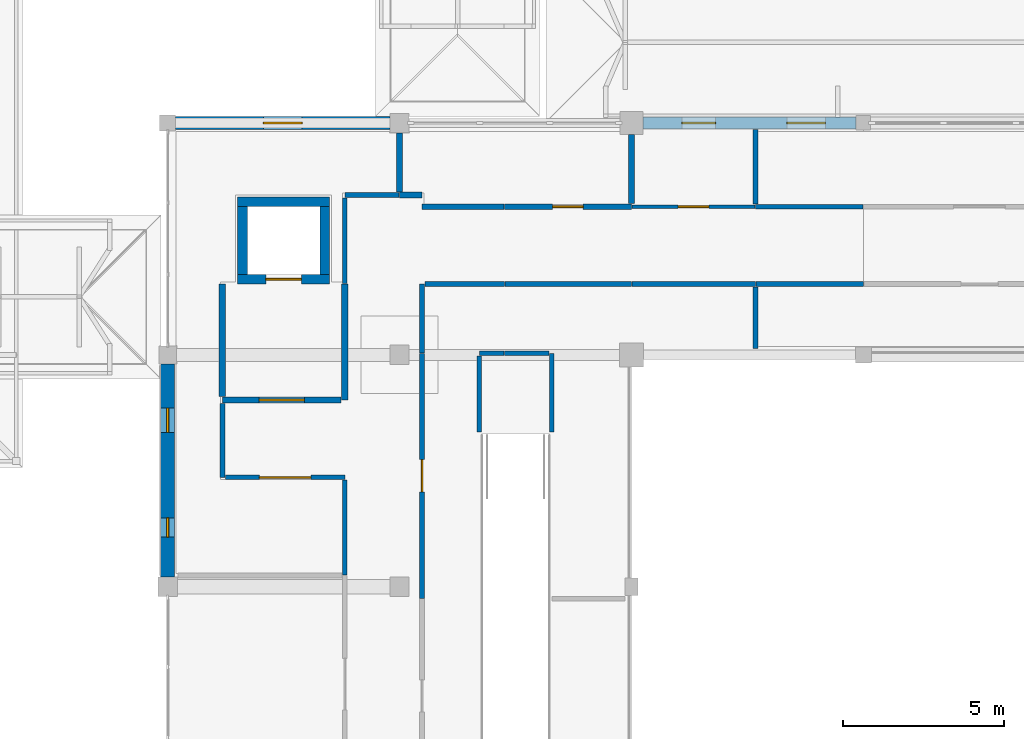
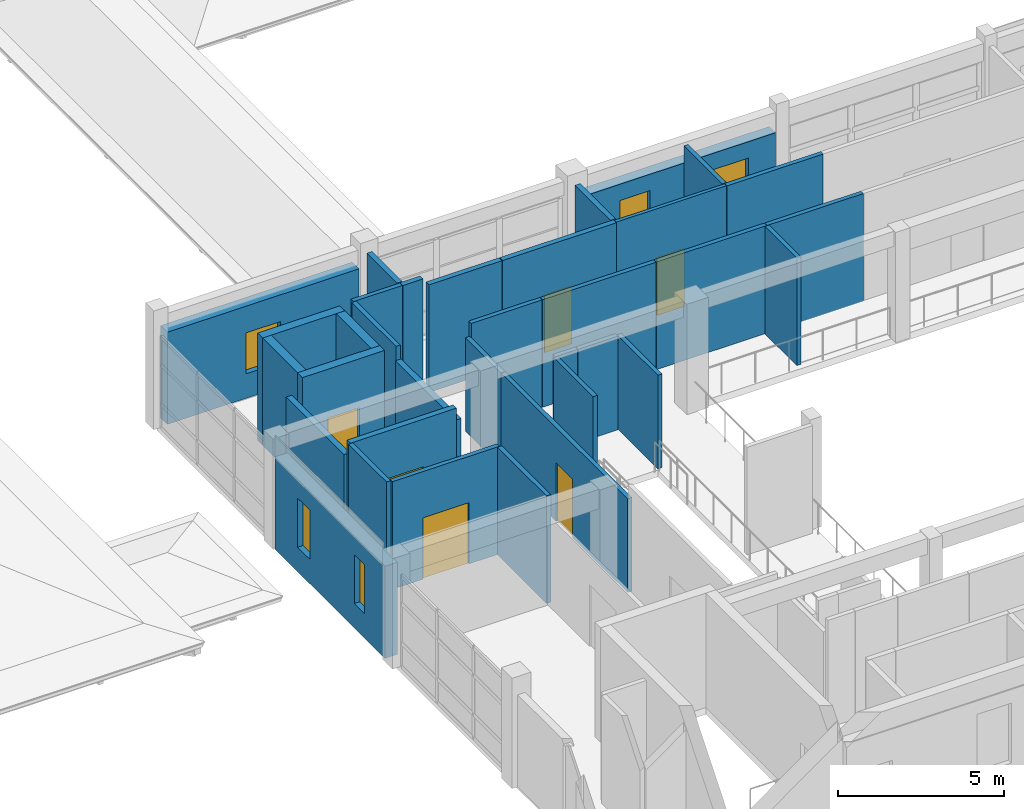
# One storey, part 74 of 110: 34 walls, 6 doors, 5 windows, 11 openings.
"""IFC4 building model written with IfcOpenShell, lengths in metres."""

from ifc_helpers import new_model, si_unit, direction, frame, frame_2d, origin, place, context, subcontext, project, spatial, rectangle, extrude, material, layer, layer_set, type_object, element, fill, save


model = new_model("IFC4")

# Units and contexts
model_context = context("Model", 3, precision=1e-05, world=origin(), true_north=direction((0.0, 1.0)))
body_context = subcontext(model_context, "Body", "Model", "MODEL_VIEW")
ifc_project = project(units=[si_unit("LENGTHUNIT", "METRE"), si_unit("AREAUNIT", "SQUARE_METRE"), si_unit("VOLUMEUNIT", "CUBIC_METRE"), si_unit("PLANEANGLEUNIT", "RADIAN"), si_unit("MASSUNIT", "GRAM", prefix="KILO")], contexts=[model_context])

# Site, building, storey
site_placement = place(None, origin())
site = spatial("IfcSite", under=ifc_project, at=site_placement, CompositionType="ELEMENT")
building_placement = place(site_placement, origin())
building = spatial("IfcBuilding", under=site, at=building_placement, Name="Steenspoor Specialist Clinic", CompositionType="ELEMENT")
storey_placement = place(building_placement, frame((0.0, 0.0, 4.800048828125)))
storey = spatial("IfcBuildingStorey", under=building, at=storey_placement, Name="L01", CompositionType="ELEMENT", Elevation=4.800048828125)

# Wall, openings, windows
ifc_material_1 = material(Name="Extruded clay brick masonry", Category="masonry")
ifc_layer_1 = layer(ifc_material_1, 0.3798828125)
ifc_layer_set_1 = layer_set([ifc_layer_1], Name="Extruded clay brick masonry")
wall_type_1 = type_object("IfcWallType", Name="W-BRICK-380", PredefinedType="USERDEFINED", material=ifc_layer_set_1)
wall_1_placement = place(storey_placement, frame((59.949951171875, 41.85009765625, 0.0), z_axis=(0.0, 0.0, 1.0), x_axis=(1.0, 0.0, 0.0)))
wall_1 = element("IfcWall", 1, at=wall_1_placement, inside=storey, type_object=wall_type_1, Name="Exterior Brick Wall EW-V1-L01-0029", ObjectType="CAVITY VENEER", PredefinedType="USERDEFINED", context=body_context, shape_type="SweptSolid", body=[
    extrude(rectangle(XDim=6.625, YDim=0.3798828125, at=frame_2d((3.3125, 0.0))), origin(), (0.0, 0.0, 1.0), 3.300048828125),
])
opening_1_placement = place(wall_1_placement, frame((1.215087890625, 0.0, 0.89990234375)))
opening_1 = element("IfcOpeningElement", 2, at=opening_1_placement, cuts=wall_1, Name="Opening WN-04", PredefinedType="OPENING", context=body_context, shape_type="SweptSolid", body=[
    extrude(rectangle(XDim=1.050048828125, YDim=1.800048828125, at=frame_2d((0.52490234375, 0.89990234375))), frame((0.0, 0.199951171875, 0.0), z_axis=(0.0, -1.0, 0.0), x_axis=(1.0, 0.0, 0.0)), (0.0, 0.0, 1.0), 0.39990234375),
])
opening_2_placement = place(wall_1_placement, frame((4.472412109375, 0.0, 0.89990234375)))
opening_2 = element("IfcOpeningElement", 3, at=opening_2_placement, cuts=wall_1, Name="Opening WN-05", PredefinedType="OPENING", context=body_context, shape_type="SweptSolid", body=[
    extrude(rectangle(XDim=1.199951171875, YDim=1.800048828125, at=frame_2d((0.60009765625, 0.89990234375))), frame((0.0, 0.199951171875, 0.0), z_axis=(0.0, -1.0, 0.0), x_axis=(1.0, 0.0, 0.0)), (0.0, 0.0, 1.0), 0.39990234375),
])
ifc_material_2 = material(Name="Thermally broken aluminium and low-emissivity glass", Category="aluminium")
window_type_1 = type_object("IfcWindowType", Name="WN-EXT-105X180", PartitioningType="SINGLE_PANEL", PredefinedType="WINDOW", material=ifc_material_2)
window_1_placement = place(opening_1_placement, origin())
window_1 = element("IfcWindow", 4, at=window_1_placement, inside=storey, type_object=window_type_1, Name="Window 0035", OverallHeight=1.800048828125, OverallWidth=1.050048828125, PartitioningType="SINGLE_PANEL", PredefinedType="WINDOW", context=body_context, shape_type="SweptSolid", body=[
    extrude(rectangle(XDim=1.050048828125, YDim=1.800048828125, at=frame_2d((0.52490234375, 0.89990234375))), frame((0.0, 0.030029296875, 0.0), z_axis=(0.0, -1.0, 0.0), x_axis=(1.0, 0.0, 0.0)), (0.0, 0.0, 1.0), 0.06005859375),
])
fill(opening_1, window_1)
window_type_2 = type_object("IfcWindowType", Name="WN-EXT-120X180", PartitioningType="SINGLE_PANEL", PredefinedType="WINDOW", material=ifc_material_2)
window_2_placement = place(opening_2_placement, origin())
window_2 = element("IfcWindow", 5, at=window_2_placement, inside=storey, type_object=window_type_2, Name="Window 0036", OverallHeight=1.800048828125, OverallWidth=1.199951171875, PartitioningType="SINGLE_PANEL", PredefinedType="WINDOW", context=body_context, shape_type="SweptSolid", body=[
    extrude(rectangle(XDim=1.199951171875, YDim=1.800048828125, at=frame_2d((0.60009765625, 0.89990234375))), frame((0.0, 0.030029296875, 0.0), z_axis=(0.0, -1.0, 0.0), x_axis=(1.0, 0.0, 0.0)), (0.0, 0.0, 1.0), 0.06005859375),
])
fill(opening_2, window_2)

# Wall, opening, window
ifc_layer_2 = layer(ifc_material_1, 0.409912109375)
ifc_layer_set_2 = layer_set([ifc_layer_2], Name="Extruded clay brick masonry")
wall_type_2 = type_object("IfcWallType", Name="W-BRICK-410", PredefinedType="USERDEFINED", material=ifc_layer_set_2)
wall_2_placement = place(storey_placement, frame((45.449951171875, 41.85009765625, 0.0), z_axis=(0.0, 0.0, 1.0), x_axis=(1.0, 0.0, 0.0)))
wall_2 = element("IfcWall", 6, at=wall_2_placement, inside=storey, type_object=wall_type_2, Name="Exterior Brick Wall EW-V1-L01-0028", ObjectType="CAVITY VENEER", PredefinedType="USERDEFINED", context=body_context, shape_type="SweptSolid", body=[
    extrude(rectangle(XDim=6.650146484375, YDim=0.409912109375, at=frame_2d((3.3251953125, 0.0))), origin(), (0.0, 0.0, 1.0), 3.3798828125),
])
opening_3_placement = place(wall_2_placement, frame((2.72509765625, 0.0, 0.89990234375)))
opening_3 = element("IfcOpeningElement", 7, at=opening_3_placement, cuts=wall_2, Name="Opening WN-11", PredefinedType="OPENING", context=body_context, shape_type="SweptSolid", body=[
    extrude(rectangle(XDim=1.199951171875, YDim=1.5, at=frame_2d((0.60009765625, 0.75))), frame((0.0, 0.21484375, 0.0), z_axis=(0.0, -1.0, 0.0), x_axis=(1.0, 0.0, 0.0)), (0.0, 0.0, 1.0), 0.429931640625),
])
window_type_3 = type_object("IfcWindowType", Name="WN-EXT-120X150", PartitioningType="SINGLE_PANEL", PredefinedType="WINDOW", material=ifc_material_2)
window_3_placement = place(opening_3_placement, origin())
window_3 = element("IfcWindow", 8, at=window_3_placement, inside=storey, type_object=window_type_3, Name="Window 0034", OverallHeight=1.5, OverallWidth=1.199951171875, PartitioningType="SINGLE_PANEL", PredefinedType="WINDOW", context=body_context, shape_type="SweptSolid", body=[
    extrude(rectangle(XDim=1.199951171875, YDim=1.5, at=frame_2d((0.60009765625, 0.75))), frame((0.0, 0.030029296875, 0.0), z_axis=(0.0, -1.0, 0.0), x_axis=(1.0, 0.0, 0.0)), (0.0, 0.0, 1.0), 0.06005859375),
])
fill(opening_3, window_3)

# Wall, openings, windows
ifc_layer_3 = layer(ifc_material_1, 0.43994140625)
ifc_layer_set_3 = layer_set([ifc_layer_3], Name="Extruded clay brick masonry")
wall_type_3 = type_object("IfcWallType", Name="W-BRICK-440", PredefinedType="USERDEFINED", material=ifc_layer_set_3)
wall_3_placement = place(storey_placement, frame((45.199951171875, 27.75, 0.0), z_axis=(0.0, 0.0, 1.0), x_axis=(0.0, 1.0, 0.0)))
wall_3 = element("IfcWall", 9, at=wall_3_placement, inside=storey, type_object=wall_type_3, Name="Exterior Brick Wall EW-V1-L01-0027", ObjectType="CAVITY VENEER", PredefinedType="USERDEFINED", context=body_context, shape_type="SweptSolid", body=[
    extrude(rectangle(XDim=6.625, YDim=0.43994140625, at=frame_2d((3.3125, 0.0))), origin(), (0.0, 0.0, 1.0), 3.3798828125),
])
opening_4_placement = place(wall_3_placement, frame((1.239990234375, 0.0, 0.89990234375)))
opening_4 = element("IfcOpeningElement", 10, at=opening_4_placement, cuts=wall_3, Name="Opening WN-01", PredefinedType="OPENING", context=body_context, shape_type="SweptSolid", body=[
    extrude(rectangle(XDim=0.60009765625, YDim=1.800048828125, at=frame_2d((0.300048828125, 0.89990234375))), frame((0.0, 0.22998046875, 0.0), z_axis=(0.0, -1.0, 0.0), x_axis=(1.0, 0.0, 0.0)), (0.0, 0.0, 1.0), 0.4599609375),
])
opening_5_placement = place(wall_3_placement, frame((4.49755859375, 0.0, 0.89990234375)))
opening_5 = element("IfcOpeningElement", 11, at=opening_5_placement, cuts=wall_3, Name="Opening WN-02", PredefinedType="OPENING", context=body_context, shape_type="SweptSolid", body=[
    extrude(rectangle(XDim=0.75, YDim=1.800048828125, at=frame_2d((0.375, 0.89990234375))), frame((0.0, 0.22998046875, 0.0), z_axis=(0.0, -1.0, 0.0), x_axis=(1.0, 0.0, 0.0)), (0.0, 0.0, 1.0), 0.4599609375),
])
window_type_4 = type_object("IfcWindowType", Name="WN-EXT-060X180", PartitioningType="SINGLE_PANEL", PredefinedType="WINDOW", material=ifc_material_2)
window_4_placement = place(opening_4_placement, origin())
window_4 = element("IfcWindow", 12, at=window_4_placement, inside=storey, type_object=window_type_4, Name="Window 0032", OverallHeight=1.800048828125, OverallWidth=0.60009765625, PartitioningType="SINGLE_PANEL", PredefinedType="WINDOW", context=body_context, shape_type="SweptSolid", body=[
    extrude(rectangle(XDim=0.60009765625, YDim=1.800048828125, at=frame_2d((0.300048828125, 0.89990234375))), frame((0.0, 0.030029296875, 0.0), z_axis=(0.0, -1.0, 0.0), x_axis=(1.0, 0.0, 0.0)), (0.0, 0.0, 1.0), 0.06005859375),
])
fill(opening_4, window_4)
window_type_5 = type_object("IfcWindowType", Name="WN-EXT-075X180", PartitioningType="SINGLE_PANEL", PredefinedType="WINDOW", material=ifc_material_2)
window_5_placement = place(opening_5_placement, origin())
window_5 = element("IfcWindow", 13, at=window_5_placement, inside=storey, type_object=window_type_5, Name="Window 0033", OverallHeight=1.800048828125, OverallWidth=0.75, PartitioningType="SINGLE_PANEL", PredefinedType="WINDOW", context=body_context, shape_type="SweptSolid", body=[
    extrude(rectangle(XDim=0.75, YDim=1.800048828125, at=frame_2d((0.375, 0.89990234375))), frame((0.0, 0.030029296875, 0.0), z_axis=(0.0, -1.0, 0.0), x_axis=(1.0, 0.0, 0.0)), (0.0, 0.0, 1.0), 0.06005859375),
])
fill(opening_5, window_5)

# Wall, opening, door
ifc_material_3 = material(Name="Gypsum acoustic clinical partition", Category="gypsum")
ifc_layer_4 = layer(ifc_material_3, 0.14990234375)
ifc_layer_set_4 = layer_set([ifc_layer_4], Name="Gypsum acoustic clinical partition")
wall_type_4 = type_object("IfcWallType", Name="W-CLIN-150", PredefinedType="PARTITIONING", material=ifc_layer_set_4)
wall_4_placement = place(storey_placement, frame((53.10009765625, 27.094970703125, 0.0), z_axis=(0.0, 0.0, 1.0), x_axis=(0.0, 1.0, 0.0)))
wall_4 = element("IfcWall", 14, at=wall_4_placement, inside=storey, type_object=wall_type_4, Name="Interior Partition IW-V1-L01-0843", PredefinedType="PARTITIONING", context=body_context, shape_type="SweptSolid", body=[
    extrude(rectangle(XDim=7.60498046875, YDim=0.14990234375, at=frame_2d((3.802490234375, 0.0))), origin(), (0.0, 0.0, 1.0), 3.43994140625),
])
opening_6_placement = place(wall_4_placement, frame((3.302490234375, 0.0, 0.0)))
opening_6 = element("IfcOpeningElement", 15, at=opening_6_placement, cuts=wall_4, Name="Opening D0065", PredefinedType="OPENING", context=body_context, shape_type="SweptSolid", body=[
    extrude(rectangle(XDim=1.0, YDim=2.14990234375, at=frame_2d((0.5, 1.074951171875))), frame((0.0, 0.0849609375, 0.0), z_axis=(0.0, -1.0, 0.0), x_axis=(1.0, 0.0, 0.0)), (0.0, 0.0, 1.0), 0.169921875),
])
ifc_material_4 = material(Name="Moisture-resistant HPL accessible WC door", Category="wood")
door_type_1 = type_object("IfcDoorType", Name="DT-AWC-100X215", OperationType="NOTDEFINED", PredefinedType="DOOR", material=ifc_material_4)
door_1_placement = place(opening_6_placement, origin())
door_1 = element("IfcDoor", 16, at=door_1_placement, inside=storey, type_object=door_type_1, Name="Clinical Door D0065", OperationType="SINGLE_SWING_RIGHT", OverallHeight=2.14990234375, OverallWidth=1.0, PredefinedType="DOOR", context=body_context, shape_type="SweptSolid", body=[
    extrude(rectangle(XDim=1.0, YDim=2.14990234375, at=frame_2d((0.5, 1.074951171875))), frame((0.0, 0.02490234375, 0.0), z_axis=(0.0, -1.0, 0.0), x_axis=(1.0, 0.0, 0.0)), (0.0, 0.0, 1.0), 0.050048828125),
])
fill(opening_6, door_1)

# Walls
wall_5_placement = place(storey_placement, frame((53.10009765625, 34.715087890625, 0.0), z_axis=(0.0, 0.0, 1.0), x_axis=(0.0, 1.0, 0.0)))
element("IfcWall", 17, at=wall_5_placement, inside=storey, type_object=wall_type_4, Name="Interior Partition IW-V1-L01-0844", PredefinedType="PARTITIONING", context=body_context, shape_type="SweptSolid", body=[
    extrude(rectangle(XDim=2.135009765625, YDim=0.14990234375, at=frame_2d((1.0673828125, 0.0))), origin(), (0.0, 0.0, 1.0), 3.43994140625),
])
wall_6_placement = place(storey_placement, frame((53.18994140625, 36.85009765625, 0.0), z_axis=(0.0, 0.0, 1.0), x_axis=(1.0, 0.0, 0.0)))
element("IfcWall", 18, at=wall_6_placement, inside=storey, type_object=wall_type_4, Name="Interior Partition IW-V1-L01-0845", PredefinedType="PARTITIONING", context=body_context, shape_type="SweptSolid", body=[
    extrude(rectangle(XDim=2.4599609375, YDim=0.14990234375, at=frame_2d((1.22998046875, 0.0))), origin(), (0.0, 0.0, 1.0), 3.949951171875),
])
wall_7_placement = place(storey_placement, frame((55.6650390625, 36.85009765625, 0.0), z_axis=(0.0, 0.0, 1.0), x_axis=(1.0, 0.0, 0.0)))
element("IfcWall", 19, at=wall_7_placement, inside=storey, type_object=wall_type_4, Name="Interior Partition IW-V1-L01-0846", PredefinedType="PARTITIONING", context=body_context, shape_type="SweptSolid", body=[
    extrude(rectangle(XDim=3.93505859375, YDim=0.14990234375, at=frame_2d((1.967529296875, 0.0))), origin(), (0.0, 0.0, 1.0), 3.949951171875),
])
wall_8_placement = place(storey_placement, frame((59.614990234375, 36.85009765625, 0.0), z_axis=(0.0, 0.0, 1.0), x_axis=(1.0, 0.0, 0.0)))
element("IfcWall", 20, at=wall_8_placement, inside=storey, type_object=wall_type_4, Name="Interior Partition IW-V1-L01-0847", PredefinedType="PARTITIONING", context=body_context, shape_type="SweptSolid", body=[
    extrude(rectangle(XDim=3.8349609375, YDim=0.14990234375, at=frame_2d((1.91748046875, 0.0))), origin(), (0.0, 0.0, 1.0), 3.949951171875),
])
wall_9_placement = place(storey_placement, frame((50.699951171875, 39.610107421875, 0.0), z_axis=(0.0, 0.0, 1.0), x_axis=(1.0, 0.0, 0.0)))
element("IfcWall", 21, at=wall_9_placement, inside=storey, type_object=wall_type_4, Name="Interior Partition IW-V1-L01-0848", PredefinedType="PARTITIONING", context=body_context, shape_type="SweptSolid", body=[
    extrude(rectangle(XDim=1.68505859375, YDim=0.14990234375, at=frame_2d((0.842529296875, 0.0))), origin(), (0.0, 0.0, 1.0), 3.949951171875),
])
wall_10_placement = place(storey_placement, frame((50.699951171875, 36.864990234375, 0.0), z_axis=(0.0, 0.0, 1.0), x_axis=(0.0, 1.0, 0.0)))
element("IfcWall", 22, at=wall_10_placement, inside=storey, type_object=wall_type_4, Name="Interior Partition IW-V1-L01-0849", PredefinedType="PARTITIONING", context=body_context, shape_type="SweptSolid", body=[
    extrude(rectangle(XDim=2.655029296875, YDim=0.14990234375, at=frame_2d((1.32763671875, 0.0))), origin(), (0.0, 0.0, 1.0), 3.949951171875),
])
wall_11_placement = place(storey_placement, frame((46.89990234375, 30.85009765625, 0.0), z_axis=(0.0, 0.0, 1.0), x_axis=(0.0, 1.0, 0.0)))
element("IfcWall", 23, at=wall_11_placement, inside=storey, type_object=wall_type_4, Name="Interior Partition IW-V1-L01-0850", PredefinedType="PARTITIONING", context=body_context, shape_type="SweptSolid", body=[
    extrude(rectangle(XDim=2.284912109375, YDim=0.14990234375, at=frame_2d((1.142578125, 0.0))), origin(), (0.0, 0.0, 1.0), 3.949951171875),
])

# Wall, opening, door
wall_12_placement = place(storey_placement, frame((46.989990234375, 30.85009765625, 0.0), z_axis=(0.0, 0.0, 1.0), x_axis=(1.0, 0.0, 0.0)))
wall_12 = element("IfcWall", 24, at=wall_12_placement, inside=storey, type_object=wall_type_4, Name="Interior Partition IW-V1-L01-0851", PredefinedType="PARTITIONING", context=body_context, shape_type="SweptSolid", body=[
    extrude(rectangle(XDim=3.7099609375, YDim=0.14990234375, at=frame_2d((1.85498046875, 0.0))), origin(), (0.0, 0.0, 1.0), 3.949951171875),
])
opening_7_placement = place(wall_12_placement, frame((1.054931640625, 0.0, 0.0)))
opening_7 = element("IfcOpeningElement", 25, at=opening_7_placement, cuts=wall_12, Name="Opening D0067", PredefinedType="OPENING", context=body_context, shape_type="SweptSolid", body=[
    extrude(rectangle(XDim=1.60009765625, YDim=2.25, at=frame_2d((0.800048828125, 1.125))), frame((0.0, 0.0849609375, 0.0), z_axis=(0.0, -1.0, 0.0), x_axis=(1.0, 0.0, 0.0)), (0.0, 0.0, 1.0), 0.169921875),
])
ifc_material_5 = material(Name="Hygienic HPL clinical timber door", Category="wood")
door_type_2 = type_object("IfcDoorType", Name="DT-PROC-160X225", OperationType="NOTDEFINED", PredefinedType="DOOR", material=ifc_material_5)
door_2_placement = place(opening_7_placement, origin())
door_2 = element("IfcDoor", 26, at=door_2_placement, inside=storey, type_object=door_type_2, Name="Clinical Door D0067", OperationType="SINGLE_SWING_RIGHT", OverallHeight=2.25, OverallWidth=1.60009765625, PredefinedType="DOOR", context=body_context, shape_type="SweptSolid", body=[
    extrude(rectangle(XDim=1.60009765625, YDim=2.25, at=frame_2d((0.800048828125, 1.125))), frame((0.0, 0.02490234375, 0.0), z_axis=(0.0, -1.0, 0.0), x_axis=(1.0, 0.0, 0.0)), (0.0, 0.0, 1.0), 0.050048828125),
])
fill(opening_7, door_2)

# Walls
wall_13_placement = place(storey_placement, frame((50.699951171875, 27.81494140625, 0.0), z_axis=(0.0, 0.0, 1.0), x_axis=(0.0, 1.0, 0.0)))
element("IfcWall", 27, at=wall_13_placement, inside=storey, type_object=wall_type_4, Name="Interior Partition IW-V1-L01-0852", PredefinedType="PARTITIONING", context=body_context, shape_type="SweptSolid", body=[
    extrude(rectangle(XDim=2.945068359375, YDim=0.14990234375, at=frame_2d((1.47265625, 0.0))), origin(), (0.0, 0.0, 1.0), 3.949951171875),
])
for number, where, z_axis, x_axis, name in (
    (28, (63.465087890625, 36.85009765625, 0.0), (0.0, 0.0, 1.0), (1.0, 0.0, 0.0), "Interior Partition IW-V1-L01-0856"),
    (29, (63.449951171875, 39.25, 0.0), (0.0, 0.0, 1.0), (1.0, 0.0, 0.0), "Interior Partition IW-V1-L01-0860"),
):
    element("IfcWall", number, at=place(storey_placement, frame(where, z_axis=z_axis, x_axis=x_axis)), inside=storey, type_object=wall_type_4, Name=name, PredefinedType="PARTITIONING", context=body_context, shape_type="SweptSolid", body=[
        extrude(rectangle(XDim=3.3349609375, YDim=0.14990234375, at=frame_2d((1.66748046875, 0.0))), origin(), (0.0, 0.0, 1.0), 3.949951171875),
    ])
wall_14_placement = place(storey_placement, frame((63.449951171875, 34.85009765625, 0.0), z_axis=(0.0, 0.0, 1.0), x_axis=(0.0, 1.0, 0.0)))
element("IfcWall", 30, at=wall_14_placement, inside=storey, type_object=wall_type_4, Name="Interior Partition IW-V1-L01-1159", PredefinedType="PARTITIONING", context=body_context, shape_type="SweptSolid", body=[
    extrude(rectangle(XDim=1.909912109375, YDim=0.14990234375, at=frame_2d((0.955078125, 0.0))), origin(), (0.0, 0.0, 1.0), 3.949951171875),
])
wall_15_placement = place(storey_placement, frame((57.125, 32.25, 0.0), z_axis=(0.0, 0.0, 1.0), x_axis=(0.0, 1.0, 0.0)))
element("IfcWall", 31, at=wall_15_placement, inside=storey, type_object=wall_type_4, Name="Interior Partition IW-V1-L01-1160", PredefinedType="PARTITIONING", context=body_context, shape_type="SweptSolid", body=[
    extrude(rectangle(XDim=2.449951171875, YDim=0.14990234375, at=frame_2d((1.22509765625, 0.0))), origin(), (0.0, 0.0, 1.0), 3.43994140625),
])
wall_16_placement = place(storey_placement, frame((55.64990234375, 34.699951171875, 0.0), z_axis=(0.0, 0.0, 1.0), x_axis=(1.0, 0.0, 0.0)))
element("IfcWall", 32, at=wall_16_placement, inside=storey, type_object=wall_type_4, Name="Interior Partition IW-V1-L01-1161", PredefinedType="PARTITIONING", context=body_context, shape_type="SweptSolid", body=[
    extrude(rectangle(XDim=1.385009765625, YDim=0.14990234375, at=frame_2d((0.6923828125, 0.0))), origin(), (0.0, 0.0, 1.0), 3.43994140625),
])
wall_17_placement = place(storey_placement, frame((54.875, 34.699951171875, 0.0), z_axis=(0.0, 0.0, 1.0), x_axis=(1.0, 0.0, 0.0)))
element("IfcWall", 33, at=wall_17_placement, inside=storey, type_object=wall_type_4, Name="Interior Partition IW-V1-L01-1162", PredefinedType="PARTITIONING", context=body_context, shape_type="SweptSolid", body=[
    extrude(rectangle(XDim=0.760009765625, YDim=0.14990234375, at=frame_2d((0.3798828125, 0.0))), origin(), (0.0, 0.0, 1.0), 3.43994140625),
])
wall_18_placement = place(storey_placement, frame((54.875, 32.25, 0.0), z_axis=(0.0, 0.0, 1.0), x_axis=(0.0, 1.0, 0.0)))
element("IfcWall", 34, at=wall_18_placement, inside=storey, type_object=wall_type_4, Name="Interior Partition IW-V1-L01-1163", PredefinedType="PARTITIONING", context=body_context, shape_type="SweptSolid", body=[
    extrude(rectangle(XDim=2.360107421875, YDim=0.14990234375, at=frame_2d((1.18017578125, 0.0))), origin(), (0.0, 0.0, 1.0), 3.43994140625),
])
wall_19_placement = place(storey_placement, frame((63.449951171875, 39.340087890625, 0.0), z_axis=(0.0, 0.0, 1.0), x_axis=(0.0, 1.0, 0.0)))
element("IfcWall", 35, at=wall_19_placement, inside=storey, type_object=wall_type_4, Name="Interior Partition IW-V1-L01-1164", PredefinedType="PARTITIONING", context=body_context, shape_type="SweptSolid", body=[
    extrude(rectangle(XDim=2.304931640625, YDim=0.14990234375, at=frame_2d((1.15234375, 0.0))), origin(), (0.0, 0.0, 1.0), 3.949951171875),
])

# Wall, opening, door
ifc_material_6 = material(Name="Gypsum studio partition board", Category="gypsum")
ifc_layer_5 = layer(ifc_material_6, 0.1201171875)
ifc_layer_set_5 = layer_set([ifc_layer_5], Name="Gypsum studio partition board")
wall_type_5 = type_object("IfcWallType", Name="W-PART-120", PredefinedType="PARTITIONING", material=ifc_layer_set_5)
wall_20_placement = place(storey_placement, frame((59.614990234375, 39.25, 0.0), z_axis=(0.0, 0.0, 1.0), x_axis=(1.0, 0.0, 0.0)))
wall_20 = element("IfcWall", 36, at=wall_20_placement, inside=storey, type_object=wall_type_5, Name="Interior Partition IW-V1-L01-0952", PredefinedType="PARTITIONING", context=body_context, shape_type="SweptSolid", body=[
    extrude(rectangle(XDim=3.820068359375, YDim=0.1201171875, at=frame_2d((1.91015625, 0.0))), origin(), (0.0, 0.0, 1.0), 3.949951171875),
])
opening_8_placement = place(wall_20_placement, frame((1.43505859375, 0.0, 0.0)))
opening_8 = element("IfcOpeningElement", 37, at=opening_8_placement, cuts=wall_20, Name="Opening D0072", PredefinedType="OPENING", context=body_context, shape_type="SweptSolid", body=[
    extrude(rectangle(XDim=0.949951171875, YDim=2.10009765625, at=frame_2d((0.47509765625, 1.050048828125))), frame((0.0, 0.070068359375, 0.0), z_axis=(0.0, -1.0, 0.0), x_axis=(1.0, 0.0, 0.0)), (0.0, 0.0, 1.0), 0.14013671875),
])
ifc_material_7 = material(Name="Moisture-resistant HPL sanitary door", Category="wood")
door_type_3 = type_object("IfcDoorType", Name="DT-WC-095X210", OperationType="NOTDEFINED", PredefinedType="DOOR", material=ifc_material_7)
door_3_placement = place(opening_8_placement, origin())
door_3 = element("IfcDoor", 38, at=door_3_placement, inside=storey, type_object=door_type_3, Name="Clinical Door D0072", OperationType="SINGLE_SWING_LEFT", OverallHeight=2.10009765625, OverallWidth=0.949951171875, PredefinedType="DOOR", context=body_context, shape_type="SweptSolid", body=[
    extrude(rectangle(XDim=0.949951171875, YDim=2.10009765625, at=frame_2d((0.47509765625, 1.050048828125))), frame((0.0, 0.02490234375, 0.0), z_axis=(0.0, -1.0, 0.0), x_axis=(1.0, 0.0, 0.0)), (0.0, 0.0, 1.0), 0.050048828125),
])
fill(opening_8, door_3)

ifc_material_8 = material(Name="Moisture-resistant gypsum plumbing wall", Category="gypsum")
ifc_layer_6 = layer(ifc_material_8, 0.179931640625)
ifc_layer_set_6 = layer_set([ifc_layer_6], Name="Moisture-resistant gypsum plumbing wall")
wall_type_6 = type_object("IfcWallType", Name="W-PLUMB-180", PredefinedType="PLUMBINGWALL", material=ifc_layer_set_6)
wall_21_placement = place(storey_placement, frame((55.64990234375, 39.25, 0.0), z_axis=(0.0, 0.0, 1.0), x_axis=(1.0, 0.0, 0.0)))
wall_21 = element("IfcWall", 39, at=wall_21_placement, inside=storey, type_object=wall_type_6, Name="Interior Partition IW-V1-L01-0744", PredefinedType="PLUMBINGWALL", context=body_context, shape_type="SweptSolid", body=[
    extrude(rectangle(XDim=3.9501953125, YDim=0.179931640625, at=frame_2d((1.97509765625, 0.0))), origin(), (0.0, 0.0, 1.0), 3.949951171875),
])
opening_9_placement = place(wall_21_placement, frame((1.5, 0.0, 0.0)))
opening_9 = element("IfcOpeningElement", 40, at=opening_9_placement, cuts=wall_21, Name="Opening D0071", PredefinedType="OPENING", context=body_context, shape_type="SweptSolid", body=[
    extrude(rectangle(XDim=0.949951171875, YDim=2.10009765625, at=frame_2d((0.47509765625, 1.050048828125))), frame((0.0, 0.10009765625, 0.0), z_axis=(0.0, -1.0, 0.0), x_axis=(1.0, 0.0, 0.0)), (0.0, 0.0, 1.0), 0.199951171875),
])
door_4_placement = place(opening_9_placement, origin())
door_4 = element("IfcDoor", 41, at=door_4_placement, inside=storey, type_object=door_type_3, Name="Clinical Door D0071", OperationType="SINGLE_SWING_RIGHT", OverallHeight=2.10009765625, OverallWidth=0.949951171875, PredefinedType="DOOR", context=body_context, shape_type="SweptSolid", body=[
    extrude(rectangle(XDim=0.949951171875, YDim=2.10009765625, at=frame_2d((0.47509765625, 1.050048828125))), frame((0.0, 0.02490234375, 0.0), z_axis=(0.0, -1.0, 0.0), x_axis=(1.0, 0.0, 0.0)), (0.0, 0.0, 1.0), 0.050048828125),
])
fill(opening_9, door_4)

# Walls
wall_22_placement = place(storey_placement, frame((53.10009765625, 39.25, 0.0), z_axis=(0.0, 0.0, 1.0), x_axis=(1.0, 0.0, 0.0)))
element("IfcWall", 42, at=wall_22_placement, inside=storey, type_object=wall_type_6, Name="Interior Partition IW-V1-L01-0745", PredefinedType="PLUMBINGWALL", context=body_context, shape_type="SweptSolid", body=[
    extrude(rectangle(XDim=2.534912109375, YDim=0.179931640625, at=frame_2d((1.267578125, 0.0))), origin(), (0.0, 0.0, 1.0), 3.949951171875),
])
wall_23_placement = place(storey_placement, frame((52.39990234375, 39.610107421875, 0.0), z_axis=(0.0, 0.0, 1.0), x_axis=(1.0, 0.0, 0.0)))
element("IfcWall", 43, at=wall_23_placement, inside=storey, type_object=wall_type_6, Name="Interior Partition IW-V1-L01-0746", PredefinedType="PLUMBINGWALL", context=body_context, shape_type="SweptSolid", body=[
    extrude(rectangle(XDim=0.7001953125, YDim=0.179931640625, at=frame_2d((0.35009765625, 0.0))), origin(), (0.0, 0.0, 1.0), 3.949951171875),
])
wall_24_placement = place(storey_placement, frame((52.39990234375, 39.715087890625, 0.0), z_axis=(0.0, 0.0, 1.0), x_axis=(0.0, 1.0, 0.0)))
element("IfcWall", 44, at=wall_24_placement, inside=storey, type_object=wall_type_6, Name="Interior Partition IW-V1-L01-1075", PredefinedType="PLUMBINGWALL", context=body_context, shape_type="SweptSolid", body=[
    extrude(rectangle(XDim=1.81982421875, YDim=0.179931640625, at=frame_2d((0.909912109375, 0.0))), origin(), (0.0, 0.0, 1.0), 3.949951171875),
])
wall_25_placement = place(storey_placement, frame((59.60009765625, 39.35498046875, 0.0), z_axis=(0.0, 0.0, 1.0), x_axis=(0.0, 1.0, 0.0)))
element("IfcWall", 45, at=wall_25_placement, inside=storey, type_object=wall_type_6, Name="Interior Partition IW-V1-L01-1077", PredefinedType="PLUMBINGWALL", context=body_context, shape_type="SweptSolid", body=[
    extrude(rectangle(XDim=2.130126953125, YDim=0.179931640625, at=frame_2d((1.06494140625, 0.0))), origin(), (0.0, 0.0, 1.0), 3.949951171875),
])
ifc_material_9 = material(Name="Gypsum acoustic smoke barrier board", Category="gypsum")
ifc_layer_7 = layer(ifc_material_9, 0.199951171875)
ifc_layer_set_7 = layer_set([ifc_layer_7], Name="Gypsum acoustic smoke barrier board")
wall_type_7 = type_object("IfcWallType", Name="W-SMOKE-200", PredefinedType="PARTITIONING", material=ifc_layer_set_7)
wall_26_placement = place(storey_placement, frame((50.699951171875, 33.25, 0.0), z_axis=(0.0, 0.0, 1.0), x_axis=(0.0, 1.0, 0.0)))
element("IfcWall", 46, at=wall_26_placement, inside=storey, type_object=wall_type_7, Name="Interior Partition IW-V1-L01-0670", PredefinedType="PARTITIONING", context=body_context, shape_type="SweptSolid", body=[
    extrude(rectangle(XDim=3.60009765625, YDim=0.199951171875, at=frame_2d((1.800048828125, 0.0))), origin(), (0.0, 0.0, 1.0), 3.43994140625),
])

# Wall, opening, door
wall_27_placement = place(storey_placement, frame((46.89990234375, 33.25, 0.0), z_axis=(0.0, 0.0, 1.0), x_axis=(1.0, 0.0, 0.0)))
wall_27 = element("IfcWall", 47, at=wall_27_placement, inside=storey, type_object=wall_type_7, Name="Interior Partition IW-V1-L01-0671", PredefinedType="PARTITIONING", context=body_context, shape_type="SweptSolid", body=[
    extrude(rectangle(XDim=3.68505859375, YDim=0.199951171875, at=frame_2d((1.842529296875, 0.0))), origin(), (0.0, 0.0, 1.0), 3.949951171875),
])
opening_10_placement = place(wall_27_placement, frame((1.142578125, 0.0, 0.0)))
opening_10 = element("IfcOpeningElement", 48, at=opening_10_placement, cuts=wall_27, Name="Opening D0049", PredefinedType="OPENING", context=body_context, shape_type="SweptSolid", body=[
    extrude(rectangle(XDim=1.39990234375, YDim=2.199951171875, at=frame_2d((0.699951171875, 1.10009765625))), frame((0.0, 0.10986328125, 0.0), z_axis=(0.0, -1.0, 0.0), x_axis=(1.0, 0.0, 0.0)), (0.0, 0.0, 1.0), 0.219970703125),
])
ifc_material_10 = material(Name="Fire-rated clinical laminate door", Category="steel")
door_type_4 = type_object("IfcDoorType", Name="DT-LAB-140X220", OperationType="NOTDEFINED", PredefinedType="DOOR", material=ifc_material_10)
door_5_placement = place(opening_10_placement, origin())
door_5 = element("IfcDoor", 49, at=door_5_placement, inside=storey, type_object=door_type_4, Name="Lift Lobby Fire Door D0049", OperationType="SINGLE_SWING_RIGHT", OverallHeight=2.199951171875, OverallWidth=1.39990234375, PredefinedType="DOOR", context=body_context, shape_type="SweptSolid", body=[
    extrude(rectangle(XDim=1.39990234375, YDim=2.199951171875, at=frame_2d((0.699951171875, 1.10009765625))), frame((0.0, 0.02490234375, 0.0), z_axis=(0.0, -1.0, 0.0), x_axis=(1.0, 0.0, 0.0)), (0.0, 0.0, 1.0), 0.050048828125),
])
fill(opening_10, door_5)

# Wall
wall_28_placement = place(storey_placement, frame((46.89990234375, 33.364990234375, 0.0), z_axis=(0.0, 0.0, 1.0), x_axis=(0.0, 1.0, 0.0)))
element("IfcWall", 50, at=wall_28_placement, inside=storey, type_object=wall_type_7, Name="Interior Partition IW-V1-L01-0684", PredefinedType="PARTITIONING", context=body_context, shape_type="SweptSolid", body=[
    extrude(rectangle(XDim=3.485107421875, YDim=0.199951171875, at=frame_2d((1.74267578125, 0.0))), origin(), (0.0, 0.0, 1.0), 3.43994140625),
])

# Wall, opening, door
ifc_material_11 = material(Name="Concrete C40/50", Category="concrete")
ifc_layer_8 = layer(ifc_material_11, 0.300048828125)
ifc_layer_set_8 = layer_set([ifc_layer_8], Name="Concrete C40/50")
wall_type_8 = type_object("IfcWallType", Name="W-SW-300", PredefinedType="SHEAR", material=ifc_layer_set_8)
wall_29_placement = place(storey_placement, frame((47.375, 37.0, 0.0), z_axis=(0.0, 0.0, 1.0), x_axis=(1.0, 0.0, 0.0)))
wall_29 = element("IfcWall", 51, at=wall_29_placement, inside=storey, type_object=wall_type_8, Name="Lift Shaft Shear Wall SW-EL-P4-L01-S", PredefinedType="SHEAR", context=body_context, shape_type="SweptSolid", body=[
    extrude(rectangle(XDim=2.85009765625, YDim=0.300048828125, at=frame_2d((1.425048828125, 0.0))), origin(), (0.0, 0.0, 1.0), 3.949951171875),
])
opening_11_placement = place(wall_29_placement, frame((0.875, 0.0, 0.0)))
opening_11 = element("IfcOpeningElement", 52, at=opening_11_placement, cuts=wall_29, Name="Opening LD28", PredefinedType="OPENING", context=body_context, shape_type="SweptSolid", body=[
    extrude(rectangle(XDim=1.10009765625, YDim=2.14990234375, at=frame_2d((0.550048828125, 1.074951171875))), frame((0.0, 0.16015625, 0.0), z_axis=(0.0, -1.0, 0.0), x_axis=(1.0, 0.0, 0.0)), (0.0, 0.0, 1.0), 0.320068359375),
])
ifc_material_12 = material(Name="Stainless steel lift landing door", Category="steel")
door_type_5 = type_object("IfcDoorType", Name="DT-LIFT-P-110", OperationType="NOTDEFINED", PredefinedType="DOOR", material=ifc_material_12)
door_6_placement = place(opening_11_placement, origin())
door_6 = element("IfcDoor", 53, at=door_6_placement, inside=storey, type_object=door_type_5, Name="Lift Landing Door LD28", OperationType="SLIDING_TO_LEFT", OverallHeight=2.14990234375, OverallWidth=1.10009765625, PredefinedType="DOOR", context=body_context, shape_type="SweptSolid", body=[
    extrude(rectangle(XDim=1.10009765625, YDim=2.14990234375, at=frame_2d((0.550048828125, 1.074951171875))), frame((0.0, 0.02490234375, 0.0), z_axis=(0.0, -1.0, 0.0), x_axis=(1.0, 0.0, 0.0)), (0.0, 0.0, 1.0), 0.050048828125),
])
fill(opening_11, door_6)

# Walls
wall_30_placement = place(storey_placement, frame((47.375, 39.39990234375, 0.0), z_axis=(0.0, 0.0, 1.0), x_axis=(1.0, 0.0, 0.0)))
element("IfcWall", 54, at=wall_30_placement, inside=storey, type_object=wall_type_8, Name="Lift Shaft Shear Wall SW-EL-P4-L01-N", PredefinedType="SHEAR", context=body_context, shape_type="SweptSolid", body=[
    extrude(rectangle(XDim=2.85009765625, YDim=0.300048828125, at=frame_2d((1.425048828125, 0.0))), origin(), (0.0, 0.0, 1.0), 3.949951171875),
])
for number, where, z_axis, x_axis, name in (
    (55, (47.52490234375, 37.14990234375, 0.0), (0.0, 0.0, 1.0), (0.0, 1.0, 0.0), "Lift Shaft Shear Wall SW-EL-P4-L01-W"),
    (56, (50.074951171875, 37.14990234375, 0.0), (0.0, 0.0, 1.0), (0.0, 1.0, 0.0), "Lift Shaft Shear Wall SW-EL-P4-L01-E"),
):
    element("IfcWall", number, at=place(storey_placement, frame(where, z_axis=z_axis, x_axis=x_axis)), inside=storey, type_object=wall_type_8, Name=name, PredefinedType="SHEAR", context=body_context, shape_type="SweptSolid", body=[
        extrude(rectangle(XDim=2.10009765625, YDim=0.300048828125, at=frame_2d((1.050048828125, 0.0))), origin(), (0.0, 0.0, 1.0), 3.949951171875),
    ])

save(model, "model.ifc")
